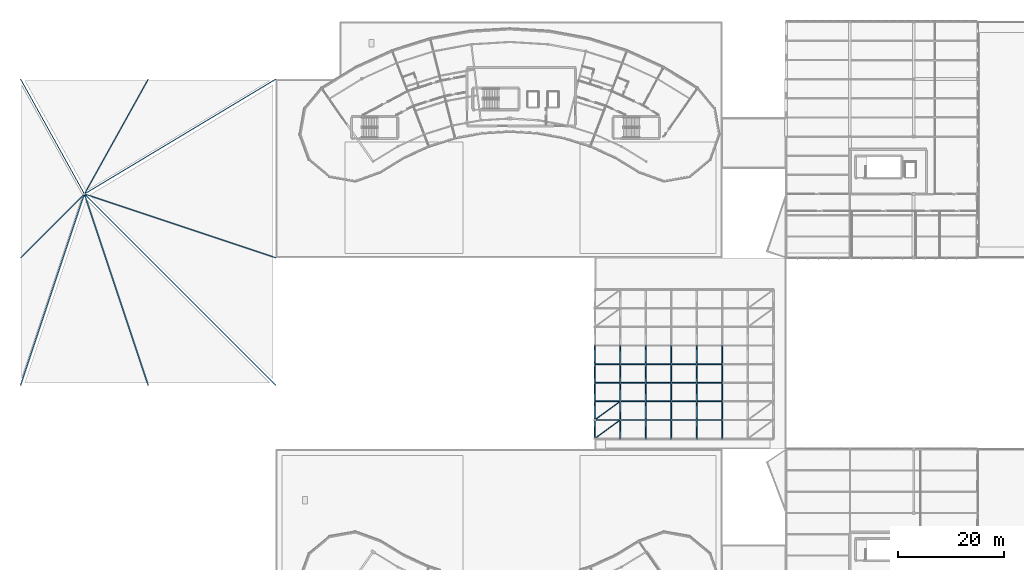
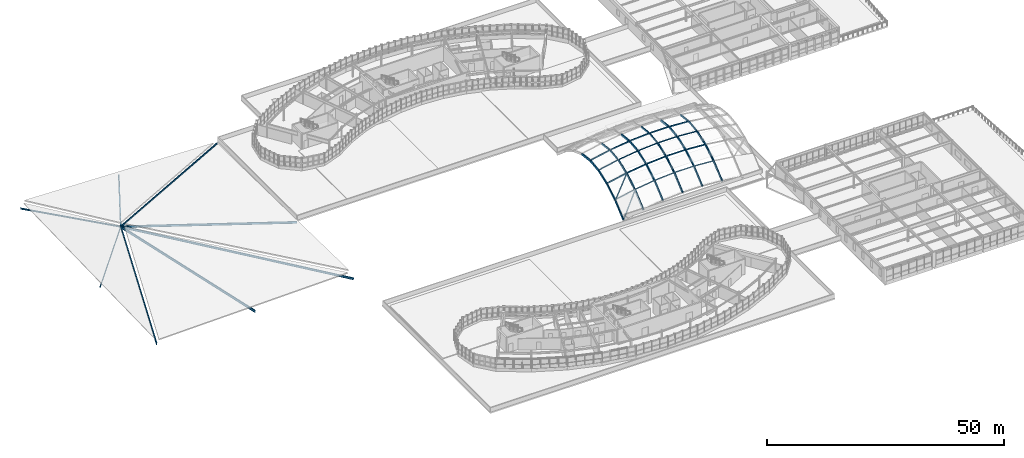
# One storey, part 38 of 128: 60 members.
"""IFC4 building model written with IfcOpenShell, lengths in metres."""

from ifc_helpers import new_model, si_unit, direction, frame, origin, origin_2d, place, context, subcontext, project, spatial, rectangle, hollow_rectangle, hollow_circle, i_section, extrude, material, material_profile, profile_set, type_object, element, save


model = new_model("IFC4")

# Units and contexts
model_context = context("Model", 3, precision=1e-05, world=origin(), true_north=direction((0.0, 1.0)))
body_context = subcontext(model_context, "Body", "Model", "MODEL_VIEW")
ifc_project = project(units=[si_unit("LENGTHUNIT", "METRE"), si_unit("AREAUNIT", "SQUARE_METRE"), si_unit("VOLUMEUNIT", "CUBIC_METRE"), si_unit("PLANEANGLEUNIT", "RADIAN"), si_unit("MASSUNIT", "GRAM", prefix="KILO")], contexts=[model_context])

# Site, building, storey
site_placement = place(None, origin())
site = spatial("IfcSite", under=ifc_project, at=site_placement, CompositionType="ELEMENT")
building_placement = place(site_placement, origin())
building = spatial("IfcBuilding", under=site, at=building_placement, Name="Tarnwether General Hospital", CompositionType="ELEMENT")
storey_placement = place(building_placement, frame((0.0, 0.0, 14.39990234375)))
storey = spatial("IfcBuildingStorey", under=building, at=storey_placement, Name="L03", CompositionType="ELEMENT", Elevation=14.39990234375)

# Members
ifc_material_1 = material(Name="Steel Grade C350L0 (350 MPa)", Category="steel")
ifc_material_profile_1 = material_profile(ifc_material_1, hollow_circle(Radius=0.096923828125, WallThickness=0.008056640625, at=origin_2d()), Name="CHS193.7x8.0")
ifc_profile_set_1 = profile_set([ifc_material_profile_1], Name="Steel Grade C350L0 (350 MPa)")
member_type_1 = type_object("IfcMemberType", Name="MB-BR5", PredefinedType="BRACE", material=ifc_profile_set_1)
member_1_placement = place(storey_placement, frame((108.0, 47.60009765625, 0.0), z_axis=(0.672607981654, 0.490438330959, 0.554137840742), x_axis=(-0.589168244541, 0.808010383365, 0.0)))
element("IfcMember", 1, at=member_1_placement, inside=storey, type_object=member_type_1, Name="Gridshell Shell Brace 128", PredefinedType="BRACE", context=body_context, shape_type="SweptSolid", body=[
    extrude(hollow_circle(Radius=0.096923828125, WallThickness=0.008056640625, at=origin_2d()), origin(), (0.0, 0.0, 1.0), 7.136474609375),
])
member_2_placement = place(storey_placement, frame((108.0, 51.10009765625, 2.97509765625), z_axis=(0.716119445124, 0.522165116998, 0.46315929323), x_axis=(-0.589168244541, 0.808010383365, 0.0)))
element("IfcMember", 2, at=member_2_placement, inside=storey, type_object=member_type_1, Name="Gridshell Shell Brace 129", PredefinedType="BRACE", context=body_context, shape_type="SweptSolid", body=[
    extrude(hollow_circle(Radius=0.096923828125, WallThickness=0.008056640625, at=origin_2d()), origin(), (0.0, 0.0, 1.0), 6.702880859375),
])
ifc_material_2 = material(Name="Glulam GL12", Category="wood")
ifc_material_profile_2 = material_profile(ifc_material_2, rectangle(XDim=0.239990234375, YDim=0.5400390625, at=origin_2d()), Name="GL12-240x540")
ifc_profile_set_2 = profile_set([ifc_material_profile_2], Name="Glulam GL12")
member_type_2 = type_object("IfcMemberType", Name="MB-GS1", PredefinedType="CHORD", material=ifc_profile_set_2)
member_3_placement = place(storey_placement, frame((108.0, 47.60009765625, 0.0), z_axis=(0.0, 0.76192882692, 0.647660762057), x_axis=(-1.0, 0.0, 0.0)))
element("IfcMember", 3, at=member_3_placement, inside=storey, type_object=member_type_2, Name="Gridshell Glulam Arch Chord 001", PredefinedType="CHORD", context=body_context, shape_type="SweptSolid", body=[
    extrude(rectangle(XDim=0.239990234375, YDim=0.5400390625, at=origin_2d()), origin(), (0.0, 0.0, 1.0), 4.593505859375),
])
member_4_placement = place(storey_placement, frame((108.0, 51.10009765625, 2.97509765625), z_axis=(0.0, 0.854787515222, 0.518978134242), x_axis=(-1.0, 0.0, 0.0)))
element("IfcMember", 4, at=member_4_placement, inside=storey, type_object=member_type_2, Name="Gridshell Glulam Arch Chord 002", PredefinedType="CHORD", context=body_context, shape_type="SweptSolid", body=[
    extrude(rectangle(XDim=0.239990234375, YDim=0.5400390625, at=origin_2d()), origin(), (0.0, 0.0, 1.0), 4.094482421875),
])
member_5_placement = place(storey_placement, frame((108.0, 54.60009765625, 5.10009765625), z_axis=(0.0, 0.939605746622, 0.342258733877), x_axis=(-1.0, 0.0, 0.0)))
element("IfcMember", 5, at=member_5_placement, inside=storey, type_object=member_type_2, Name="Gridshell Glulam Arch Chord 003", PredefinedType="CHORD", context=body_context, shape_type="SweptSolid", body=[
    extrude(rectangle(XDim=0.239990234375, YDim=0.5400390625, at=origin_2d()), origin(), (0.0, 0.0, 1.0), 3.724853515625),
])
for number, where, z_axis, x_axis, name in (
    (6, (108.0, 58.10009765625, 6.375), (0.0, 0.992706434156, 0.120556773289), (-1.0, 0.0, 0.0), "Gridshell Glulam Arch Chord 004"),
    (7, (108.0, 61.60009765625, 6.800048828125), (0.0, 0.992706434156, -0.120556773289), (-1.0, 0.0, 0.0), "Gridshell Glulam Arch Chord 005"),
):
    element("IfcMember", number, at=place(storey_placement, frame(where, z_axis=z_axis, x_axis=x_axis)), inside=storey, type_object=member_type_2, Name=name, PredefinedType="CHORD", context=body_context, shape_type="SweptSolid", body=[
        extrude(rectangle(XDim=0.239990234375, YDim=0.5400390625, at=origin_2d()), origin(), (0.0, 0.0, 1.0), 3.525634765625),
    ])
member_6_placement = place(storey_placement, frame((117.60009765625, 47.60009765625, 1.6328125), z_axis=(0.0, 0.76192882692, 0.647660762057), x_axis=(-1.0, 0.0, 0.0)))
element("IfcMember", 8, at=member_6_placement, inside=storey, type_object=member_type_2, Name="Gridshell Glulam Arch Chord 017", PredefinedType="CHORD", context=body_context, shape_type="SweptSolid", body=[
    extrude(rectangle(XDim=0.239990234375, YDim=0.5400390625, at=origin_2d()), origin(), (0.0, 0.0, 1.0), 4.593505859375),
])
member_7_placement = place(storey_placement, frame((117.60009765625, 51.10009765625, 4.60791015625), z_axis=(0.0, 0.854787515222, 0.518978134242), x_axis=(-1.0, 0.0, 0.0)))
element("IfcMember", 9, at=member_7_placement, inside=storey, type_object=member_type_2, Name="Gridshell Glulam Arch Chord 018", PredefinedType="CHORD", context=body_context, shape_type="SweptSolid", body=[
    extrude(rectangle(XDim=0.239990234375, YDim=0.5400390625, at=origin_2d()), origin(), (0.0, 0.0, 1.0), 4.094482421875),
])
member_8_placement = place(storey_placement, frame((117.60009765625, 54.60009765625, 6.73291015625), z_axis=(0.0, 0.939605746622, 0.342258733877), x_axis=(-1.0, 0.0, 0.0)))
element("IfcMember", 10, at=member_8_placement, inside=storey, type_object=member_type_2, Name="Gridshell Glulam Arch Chord 019", PredefinedType="CHORD", context=body_context, shape_type="SweptSolid", body=[
    extrude(rectangle(XDim=0.239990234375, YDim=0.5400390625, at=origin_2d()), origin(), (0.0, 0.0, 1.0), 3.724853515625),
])
for number, where, z_axis, x_axis, name in (
    (11, (117.60009765625, 58.10009765625, 8.0078125), (0.0, 0.992706434156, 0.120556773289), (-1.0, 0.0, 0.0), "Gridshell Glulam Arch Chord 020"),
    (12, (117.60009765625, 61.60009765625, 8.432861328125), (0.0, 0.992706434156, -0.120556773289), (-1.0, 0.0, 0.0), "Gridshell Glulam Arch Chord 021"),
):
    element("IfcMember", number, at=place(storey_placement, frame(where, z_axis=z_axis, x_axis=x_axis)), inside=storey, type_object=member_type_2, Name=name, PredefinedType="CHORD", context=body_context, shape_type="SweptSolid", body=[
        extrude(rectangle(XDim=0.239990234375, YDim=0.5400390625, at=origin_2d()), origin(), (0.0, 0.0, 1.0), 3.525634765625),
    ])
member_9_placement = place(storey_placement, frame((127.199951171875, 47.60009765625, 1.959228515625), z_axis=(0.0, 0.76192882692, 0.647660762057), x_axis=(-1.0, 0.0, 0.0)))
element("IfcMember", 13, at=member_9_placement, inside=storey, type_object=member_type_2, Name="Gridshell Glulam Arch Chord 033", PredefinedType="CHORD", context=body_context, shape_type="SweptSolid", body=[
    extrude(rectangle(XDim=0.239990234375, YDim=0.5400390625, at=origin_2d()), origin(), (0.0, 0.0, 1.0), 4.593505859375),
])
member_10_placement = place(storey_placement, frame((127.199951171875, 51.10009765625, 4.934326171875), z_axis=(0.0, 0.854787515222, 0.518978134242), x_axis=(-1.0, 0.0, 0.0)))
element("IfcMember", 14, at=member_10_placement, inside=storey, type_object=member_type_2, Name="Gridshell Glulam Arch Chord 034", PredefinedType="CHORD", context=body_context, shape_type="SweptSolid", body=[
    extrude(rectangle(XDim=0.239990234375, YDim=0.5400390625, at=origin_2d()), origin(), (0.0, 0.0, 1.0), 4.094482421875),
])
member_11_placement = place(storey_placement, frame((127.199951171875, 54.60009765625, 7.059326171875), z_axis=(0.0, 0.939605746622, 0.342258733877), x_axis=(-1.0, 0.0, 0.0)))
element("IfcMember", 15, at=member_11_placement, inside=storey, type_object=member_type_2, Name="Gridshell Glulam Arch Chord 035", PredefinedType="CHORD", context=body_context, shape_type="SweptSolid", body=[
    extrude(rectangle(XDim=0.239990234375, YDim=0.5400390625, at=origin_2d()), origin(), (0.0, 0.0, 1.0), 3.724853515625),
])
for number, where, z_axis, x_axis, name in (
    (16, (127.199951171875, 58.10009765625, 8.334228515625), (0.0, 0.992706434156, 0.120556773289), (-1.0, 0.0, 0.0), "Gridshell Glulam Arch Chord 036"),
    (17, (127.199951171875, 61.60009765625, 8.75927734375), (0.0, 0.992706434156, -0.120556773289), (-1.0, 0.0, 0.0), "Gridshell Glulam Arch Chord 037"),
):
    element("IfcMember", number, at=place(storey_placement, frame(where, z_axis=z_axis, x_axis=x_axis)), inside=storey, type_object=member_type_2, Name=name, PredefinedType="CHORD", context=body_context, shape_type="SweptSolid", body=[
        extrude(rectangle(XDim=0.239990234375, YDim=0.5400390625, at=origin_2d()), origin(), (0.0, 0.0, 1.0), 3.525634765625),
    ])
ifc_material_3 = material(Name="Glulam GL12", Category="wood")
ifc_material_profile_3 = material_profile(ifc_material_3, rectangle(XDim=0.199951171875, YDim=0.449951171875, at=origin_2d()), Name="GL12-200x450")
ifc_profile_set_3 = profile_set([ifc_material_profile_3], Name="Glulam GL12")
member_type_3 = type_object("IfcMemberType", Name="MB-GS2", PredefinedType="CHORD", material=ifc_profile_set_3)
member_12_placement = place(storey_placement, frame((112.800048828125, 47.60009765625, 1.024658203125), z_axis=(0.0, 0.76192882692, 0.647660762057), x_axis=(-1.0, 0.0, 0.0)))
element("IfcMember", 18, at=member_12_placement, inside=storey, type_object=member_type_3, Name="Gridshell Glulam Arch Chord 009", PredefinedType="CHORD", context=body_context, shape_type="SweptSolid", body=[
    extrude(rectangle(XDim=0.199951171875, YDim=0.449951171875, at=origin_2d()), origin(), (0.0, 0.0, 1.0), 4.593505859375),
])
member_13_placement = place(storey_placement, frame((112.800048828125, 51.10009765625, 3.999755859375), z_axis=(0.0, 0.854787515222, 0.518978134242), x_axis=(-1.0, 0.0, 0.0)))
element("IfcMember", 19, at=member_13_placement, inside=storey, type_object=member_type_3, Name="Gridshell Glulam Arch Chord 010", PredefinedType="CHORD", context=body_context, shape_type="SweptSolid", body=[
    extrude(rectangle(XDim=0.199951171875, YDim=0.449951171875, at=origin_2d()), origin(), (0.0, 0.0, 1.0), 4.094482421875),
])
member_14_placement = place(storey_placement, frame((112.800048828125, 54.60009765625, 6.124755859375), z_axis=(0.0, 0.939605746622, 0.342258733877), x_axis=(-1.0, 0.0, 0.0)))
element("IfcMember", 20, at=member_14_placement, inside=storey, type_object=member_type_3, Name="Gridshell Glulam Arch Chord 011", PredefinedType="CHORD", context=body_context, shape_type="SweptSolid", body=[
    extrude(rectangle(XDim=0.199951171875, YDim=0.449951171875, at=origin_2d()), origin(), (0.0, 0.0, 1.0), 3.724853515625),
])
for number, where, z_axis, x_axis, name in (
    (21, (112.800048828125, 58.10009765625, 7.399658203125), (0.0, 0.992706434156, 0.120556773289), (-1.0, 0.0, 0.0), "Gridshell Glulam Arch Chord 012"),
    (22, (112.800048828125, 61.60009765625, 7.82470703125), (0.0, 0.992706434156, -0.120556773289), (-1.0, 0.0, 0.0), "Gridshell Glulam Arch Chord 013"),
):
    element("IfcMember", number, at=place(storey_placement, frame(where, z_axis=z_axis, x_axis=x_axis)), inside=storey, type_object=member_type_3, Name=name, PredefinedType="CHORD", context=body_context, shape_type="SweptSolid", body=[
        extrude(rectangle(XDim=0.199951171875, YDim=0.449951171875, at=origin_2d()), origin(), (0.0, 0.0, 1.0), 3.525634765625),
    ])
member_15_placement = place(storey_placement, frame((122.39990234375, 47.60009765625, 2.00439453125), z_axis=(0.0, 0.761955054185, 0.647629906198), x_axis=(-1.0, 0.0, 0.0)))
element("IfcMember", 23, at=member_15_placement, inside=storey, type_object=member_type_3, Name="Gridshell Glulam Arch Chord 025", PredefinedType="CHORD", context=body_context, shape_type="SweptSolid", body=[
    extrude(rectangle(XDim=0.199951171875, YDim=0.449951171875, at=origin_2d()), origin(), (0.0, 0.0, 1.0), 4.593505859375),
])
member_16_placement = place(storey_placement, frame((122.39990234375, 51.10009765625, 4.979248046875), z_axis=(0.0, 0.854787515222, 0.518978134242), x_axis=(-1.0, 0.0, 0.0)))
element("IfcMember", 24, at=member_16_placement, inside=storey, type_object=member_type_3, Name="Gridshell Glulam Arch Chord 026", PredefinedType="CHORD", context=body_context, shape_type="SweptSolid", body=[
    extrude(rectangle(XDim=0.199951171875, YDim=0.449951171875, at=origin_2d()), origin(), (0.0, 0.0, 1.0), 4.094482421875),
])
member_17_placement = place(storey_placement, frame((122.39990234375, 54.60009765625, 7.104248046875), z_axis=(0.0, 0.939584667872, 0.342316596003), x_axis=(-1.0, 0.0, 0.0)))
element("IfcMember", 25, at=member_17_placement, inside=storey, type_object=member_type_3, Name="Gridshell Glulam Arch Chord 027", PredefinedType="CHORD", context=body_context, shape_type="SweptSolid", body=[
    extrude(rectangle(XDim=0.199951171875, YDim=0.449951171875, at=origin_2d()), origin(), (0.0, 0.0, 1.0), 3.72509765625),
])
for number, where, z_axis, x_axis, name in (
    (26, (122.39990234375, 58.10009765625, 8.37939453125), (0.0, 0.992714719031, 0.120488533141), (-1.0, 0.0, 0.0), "Gridshell Glulam Arch Chord 028"),
    (27, (122.39990234375, 61.60009765625, 8.80419921875), (0.0, 0.992714719031, -0.120488533141), (-1.0, 0.0, 0.0), "Gridshell Glulam Arch Chord 029"),
):
    element("IfcMember", number, at=place(storey_placement, frame(where, z_axis=z_axis, x_axis=x_axis)), inside=storey, type_object=member_type_3, Name=name, PredefinedType="CHORD", context=body_context, shape_type="SweptSolid", body=[
        extrude(rectangle(XDim=0.199951171875, YDim=0.449951171875, at=origin_2d()), origin(), (0.0, 0.0, 1.0), 3.525634765625),
    ])
member_18_placement = place(storey_placement, frame((132.0, 47.60009765625, 1.677734375), z_axis=(0.0, 0.76192882692, 0.647660762057), x_axis=(-1.0, 0.0, 0.0)))
element("IfcMember", 28, at=member_18_placement, inside=storey, type_object=member_type_3, Name="Gridshell Glulam Arch Chord 041", PredefinedType="CHORD", context=body_context, shape_type="SweptSolid", body=[
    extrude(rectangle(XDim=0.199951171875, YDim=0.449951171875, at=origin_2d()), origin(), (0.0, 0.0, 1.0), 4.593505859375),
])
member_19_placement = place(storey_placement, frame((132.0, 51.10009765625, 4.65283203125), z_axis=(0.0, 0.854787515222, 0.518978134242), x_axis=(-1.0, 0.0, 0.0)))
element("IfcMember", 29, at=member_19_placement, inside=storey, type_object=member_type_3, Name="Gridshell Glulam Arch Chord 042", PredefinedType="CHORD", context=body_context, shape_type="SweptSolid", body=[
    extrude(rectangle(XDim=0.199951171875, YDim=0.449951171875, at=origin_2d()), origin(), (0.0, 0.0, 1.0), 4.094482421875),
])
member_20_placement = place(storey_placement, frame((132.0, 54.60009765625, 6.77783203125), z_axis=(0.0, 0.939605746622, 0.342258733877), x_axis=(-1.0, 0.0, 0.0)))
element("IfcMember", 30, at=member_20_placement, inside=storey, type_object=member_type_3, Name="Gridshell Glulam Arch Chord 043", PredefinedType="CHORD", context=body_context, shape_type="SweptSolid", body=[
    extrude(rectangle(XDim=0.199951171875, YDim=0.449951171875, at=origin_2d()), origin(), (0.0, 0.0, 1.0), 3.724853515625),
])
for number, where, z_axis, x_axis, name in (
    (31, (132.0, 58.10009765625, 8.052734375), (0.0, 0.992706434156, 0.120556773289), (-1.0, 0.0, 0.0), "Gridshell Glulam Arch Chord 044"),
    (32, (132.0, 61.60009765625, 8.477783203125), (0.0, 0.992706434156, -0.120556773289), (-1.0, 0.0, 0.0), "Gridshell Glulam Arch Chord 045"),
):
    element("IfcMember", number, at=place(storey_placement, frame(where, z_axis=z_axis, x_axis=x_axis)), inside=storey, type_object=member_type_3, Name=name, PredefinedType="CHORD", context=body_context, shape_type="SweptSolid", body=[
        extrude(rectangle(XDim=0.199951171875, YDim=0.449951171875, at=origin_2d()), origin(), (0.0, 0.0, 1.0), 3.525634765625),
    ])
ifc_material_4 = material(Name="Steel Grade C350L0 (350 MPa)", Category="steel")
ifc_material_profile_4 = material_profile(ifc_material_4, hollow_rectangle(XDim=0.199951171875, YDim=0.300048828125, WallThickness=0.012451171875, at=origin_2d()), Name="RHS300x200x12.5")
ifc_profile_set_4 = profile_set([ifc_material_profile_4], Name="Steel Grade C350L0 (350 MPa)")
member_type_4 = type_object("IfcMemberType", Name="MB-GS3", PredefinedType="CHORD", material=ifc_profile_set_4)
member_21_placement = place(storey_placement, frame((108.0, 54.60009765625, 5.210205078125), z_axis=(0.979808442283, 0.0, 0.199938531633), x_axis=(0.0, 1.0, 0.0)))
element("IfcMember", 33, at=member_21_placement, inside=storey, type_object=member_type_4, Name="Gridshell Steel Longitudinal Chord 079", PredefinedType="CHORD", context=body_context, shape_type="SweptSolid", body=[
    extrude(hollow_rectangle(XDim=0.199951171875, YDim=0.300048828125, WallThickness=0.012451171875, at=origin_2d()), origin(), (0.0, 0.0, 1.0), 4.89892578125),
])
member_22_placement = place(storey_placement, frame((112.800048828125, 54.60009765625, 6.189697265625), z_axis=(0.990870911369, 0.0, 0.134814083104), x_axis=(0.0, 1.0, 0.0)))
element("IfcMember", 34, at=member_22_placement, inside=storey, type_object=member_type_4, Name="Gridshell Steel Longitudinal Chord 080", PredefinedType="CHORD", context=body_context, shape_type="SweptSolid", body=[
    extrude(hollow_rectangle(XDim=0.199951171875, YDim=0.300048828125, WallThickness=0.012451171875, at=origin_2d()), origin(), (0.0, 0.0, 1.0), 4.84423828125),
])
member_23_placement = place(storey_placement, frame((117.60009765625, 54.60009765625, 6.8427734375), z_axis=(0.997695575032, 0.0, 0.067849388801), x_axis=(0.0, 1.0, 0.0)))
element("IfcMember", 35, at=member_23_placement, inside=storey, type_object=member_type_4, Name="Gridshell Steel Longitudinal Chord 081", PredefinedType="CHORD", context=body_context, shape_type="SweptSolid", body=[
    extrude(hollow_rectangle(XDim=0.199951171875, YDim=0.300048828125, WallThickness=0.012451171875, at=origin_2d()), origin(), (0.0, 0.0, 1.0), 4.810791015625),
])
member_24_placement = place(storey_placement, frame((122.39990234375, 54.60009765625, 7.169189453125), z_axis=(1.0, 0.0, 0.0), x_axis=(0.0, 1.0, 0.0)))
element("IfcMember", 36, at=member_24_placement, inside=storey, type_object=member_type_4, Name="Gridshell Steel Longitudinal Chord 082", PredefinedType="CHORD", context=body_context, shape_type="SweptSolid", body=[
    extrude(hollow_rectangle(XDim=0.199951171875, YDim=0.300048828125, WallThickness=0.012451171875, at=origin_2d()), origin(), (0.0, 0.0, 1.0), 4.800048828125),
])
member_25_placement = place(storey_placement, frame((127.199951171875, 54.60009765625, 7.169189453125), z_axis=(0.997695808633, 0.0, -0.067845953723), x_axis=(0.0, 1.0, 0.0)))
element("IfcMember", 37, at=member_25_placement, inside=storey, type_object=member_type_4, Name="Gridshell Steel Longitudinal Chord 083", PredefinedType="CHORD", context=body_context, shape_type="SweptSolid", body=[
    extrude(hollow_rectangle(XDim=0.199951171875, YDim=0.300048828125, WallThickness=0.012451171875, at=origin_2d()), origin(), (0.0, 0.0, 1.0), 4.81103515625),
])
member_26_placement = place(storey_placement, frame((108.0, 61.60009765625, 6.91015625), z_axis=(0.979808442283, 0.0, 0.199938531633), x_axis=(0.0, 1.0, 0.0)))
element("IfcMember", 38, at=member_26_placement, inside=storey, type_object=member_type_4, Name="Gridshell Steel Longitudinal Chord 093", PredefinedType="CHORD", context=body_context, shape_type="SweptSolid", body=[
    extrude(hollow_rectangle(XDim=0.199951171875, YDim=0.300048828125, WallThickness=0.012451171875, at=origin_2d()), origin(), (0.0, 0.0, 1.0), 4.89892578125),
])
member_27_placement = place(storey_placement, frame((112.800048828125, 61.60009765625, 7.8896484375), z_axis=(0.990870911369, 0.0, 0.134814083104), x_axis=(0.0, 1.0, 0.0)))
element("IfcMember", 39, at=member_27_placement, inside=storey, type_object=member_type_4, Name="Gridshell Steel Longitudinal Chord 094", PredefinedType="CHORD", context=body_context, shape_type="SweptSolid", body=[
    extrude(hollow_rectangle(XDim=0.199951171875, YDim=0.300048828125, WallThickness=0.012451171875, at=origin_2d()), origin(), (0.0, 0.0, 1.0), 4.84423828125),
])
member_28_placement = place(storey_placement, frame((117.60009765625, 61.60009765625, 8.542724609375), z_axis=(0.997692138514, 0.0, 0.067899902408), x_axis=(0.0, 1.0, 0.0)))
element("IfcMember", 40, at=member_28_placement, inside=storey, type_object=member_type_4, Name="Gridshell Steel Longitudinal Chord 095", PredefinedType="CHORD", context=body_context, shape_type="SweptSolid", body=[
    extrude(hollow_rectangle(XDim=0.199951171875, YDim=0.300048828125, WallThickness=0.012451171875, at=origin_2d()), origin(), (0.0, 0.0, 1.0), 4.810791015625),
])
member_29_placement = place(storey_placement, frame((122.39990234375, 61.60009765625, 8.869384765625), z_axis=(1.0, 0.0, 0.0), x_axis=(0.0, 1.0, 0.0)))
element("IfcMember", 41, at=member_29_placement, inside=storey, type_object=member_type_4, Name="Gridshell Steel Longitudinal Chord 096", PredefinedType="CHORD", context=body_context, shape_type="SweptSolid", body=[
    extrude(hollow_rectangle(XDim=0.199951171875, YDim=0.300048828125, WallThickness=0.012451171875, at=origin_2d()), origin(), (0.0, 0.0, 1.0), 4.800048828125),
])
member_30_placement = place(storey_placement, frame((127.199951171875, 61.60009765625, 8.869384765625), z_axis=(0.997692372462, 0.0, -0.067896464796), x_axis=(0.0, 1.0, 0.0)))
element("IfcMember", 42, at=member_30_placement, inside=storey, type_object=member_type_4, Name="Gridshell Steel Longitudinal Chord 097", PredefinedType="CHORD", context=body_context, shape_type="SweptSolid", body=[
    extrude(hollow_rectangle(XDim=0.199951171875, YDim=0.300048828125, WallThickness=0.012451171875, at=origin_2d()), origin(), (0.0, 0.0, 1.0), 4.81103515625),
])
ifc_material_5 = material(Name="Steel Grade C350L0 (350 MPa)", Category="steel")
ifc_material_profile_5 = material_profile(ifc_material_5, hollow_rectangle(XDim=0.14990234375, YDim=0.25, WallThickness=0.010009765625, at=origin_2d()), Name="RHS250x150x10")
ifc_profile_set_5 = profile_set([ifc_material_profile_5], Name="Steel Grade C350L0 (350 MPa)")
member_type_5 = type_object("IfcMemberType", Name="MB-GS4", PredefinedType="CHORD", material=ifc_profile_set_5)
member_31_placement = place(storey_placement, frame((108.0, 51.10009765625, 3.110107421875), z_axis=(0.979808442283, 0.0, 0.199938531633), x_axis=(0.0, 1.0, 0.0)))
element("IfcMember", 43, at=member_31_placement, inside=storey, type_object=member_type_5, Name="Gridshell Steel Longitudinal Chord 072", PredefinedType="CHORD", context=body_context, shape_type="SweptSolid", body=[
    extrude(hollow_rectangle(XDim=0.14990234375, YDim=0.25, WallThickness=0.010009765625, at=origin_2d()), origin(), (0.0, 0.0, 1.0), 4.89892578125),
])
member_32_placement = place(storey_placement, frame((112.800048828125, 51.10009765625, 4.089599609375), z_axis=(0.990870911369, 0.0, 0.134814083104), x_axis=(0.0, 1.0, 0.0)))
element("IfcMember", 44, at=member_32_placement, inside=storey, type_object=member_type_5, Name="Gridshell Steel Longitudinal Chord 073", PredefinedType="CHORD", context=body_context, shape_type="SweptSolid", body=[
    extrude(hollow_rectangle(XDim=0.14990234375, YDim=0.25, WallThickness=0.010009765625, at=origin_2d()), origin(), (0.0, 0.0, 1.0), 4.84423828125),
])
member_33_placement = place(storey_placement, frame((117.60009765625, 51.10009765625, 4.74267578125), z_axis=(0.997692138514, 0.0, 0.067899902408), x_axis=(0.0, 1.0, 0.0)))
element("IfcMember", 45, at=member_33_placement, inside=storey, type_object=member_type_5, Name="Gridshell Steel Longitudinal Chord 074", PredefinedType="CHORD", context=body_context, shape_type="SweptSolid", body=[
    extrude(hollow_rectangle(XDim=0.14990234375, YDim=0.25, WallThickness=0.010009765625, at=origin_2d()), origin(), (0.0, 0.0, 1.0), 4.810791015625),
])
member_34_placement = place(storey_placement, frame((122.39990234375, 51.10009765625, 5.0693359375), z_axis=(1.0, 0.0, 0.0), x_axis=(0.0, 1.0, 0.0)))
element("IfcMember", 46, at=member_34_placement, inside=storey, type_object=member_type_5, Name="Gridshell Steel Longitudinal Chord 075", PredefinedType="CHORD", context=body_context, shape_type="SweptSolid", body=[
    extrude(hollow_rectangle(XDim=0.14990234375, YDim=0.25, WallThickness=0.010009765625, at=origin_2d()), origin(), (0.0, 0.0, 1.0), 4.800048828125),
])
member_35_placement = place(storey_placement, frame((127.199951171875, 51.10009765625, 5.0693359375), z_axis=(0.997692372462, 0.0, -0.067896464796), x_axis=(0.0, 1.0, 0.0)))
element("IfcMember", 47, at=member_35_placement, inside=storey, type_object=member_type_5, Name="Gridshell Steel Longitudinal Chord 076", PredefinedType="CHORD", context=body_context, shape_type="SweptSolid", body=[
    extrude(hollow_rectangle(XDim=0.14990234375, YDim=0.25, WallThickness=0.010009765625, at=origin_2d()), origin(), (0.0, 0.0, 1.0), 4.81103515625),
])
member_36_placement = place(storey_placement, frame((108.0, 58.10009765625, 6.510009765625), z_axis=(0.979798678438, 0.0, 0.199986373866), x_axis=(0.0, 1.0, 0.0)))
element("IfcMember", 48, at=member_36_placement, inside=storey, type_object=member_type_5, Name="Gridshell Steel Longitudinal Chord 086", PredefinedType="CHORD", context=body_context, shape_type="SweptSolid", body=[
    extrude(hollow_rectangle(XDim=0.14990234375, YDim=0.25, WallThickness=0.010009765625, at=origin_2d()), origin(), (0.0, 0.0, 1.0), 4.89892578125),
])
member_37_placement = place(storey_placement, frame((112.800048828125, 58.10009765625, 7.48974609375), z_axis=(0.990870911369, 0.0, 0.134814083104), x_axis=(0.0, 1.0, 0.0)))
element("IfcMember", 49, at=member_37_placement, inside=storey, type_object=member_type_5, Name="Gridshell Steel Longitudinal Chord 087", PredefinedType="CHORD", context=body_context, shape_type="SweptSolid", body=[
    extrude(hollow_rectangle(XDim=0.14990234375, YDim=0.25, WallThickness=0.010009765625, at=origin_2d()), origin(), (0.0, 0.0, 1.0), 4.84423828125),
])
member_38_placement = place(storey_placement, frame((117.60009765625, 58.10009765625, 8.142822265625), z_axis=(0.997695575032, 0.0, 0.067849388801), x_axis=(0.0, 1.0, 0.0)))
element("IfcMember", 50, at=member_38_placement, inside=storey, type_object=member_type_5, Name="Gridshell Steel Longitudinal Chord 088", PredefinedType="CHORD", context=body_context, shape_type="SweptSolid", body=[
    extrude(hollow_rectangle(XDim=0.14990234375, YDim=0.25, WallThickness=0.010009765625, at=origin_2d()), origin(), (0.0, 0.0, 1.0), 4.810791015625),
])
member_39_placement = place(storey_placement, frame((122.39990234375, 58.10009765625, 8.46923828125), z_axis=(1.0, 0.0, 0.0), x_axis=(0.0, 1.0, 0.0)))
element("IfcMember", 51, at=member_39_placement, inside=storey, type_object=member_type_5, Name="Gridshell Steel Longitudinal Chord 089", PredefinedType="CHORD", context=body_context, shape_type="SweptSolid", body=[
    extrude(hollow_rectangle(XDim=0.14990234375, YDim=0.25, WallThickness=0.010009765625, at=origin_2d()), origin(), (0.0, 0.0, 1.0), 4.800048828125),
])
member_40_placement = place(storey_placement, frame((127.199951171875, 58.10009765625, 8.46923828125), z_axis=(0.997695808633, 0.0, -0.067845953723), x_axis=(0.0, 1.0, 0.0)))
element("IfcMember", 52, at=member_40_placement, inside=storey, type_object=member_type_5, Name="Gridshell Steel Longitudinal Chord 090", PredefinedType="CHORD", context=body_context, shape_type="SweptSolid", body=[
    extrude(hollow_rectangle(XDim=0.14990234375, YDim=0.25, WallThickness=0.010009765625, at=origin_2d()), origin(), (0.0, 0.0, 1.0), 4.81103515625),
])
ifc_material_6 = material(Name="Steel Grade 350 (350 MPa)", Category="steel")
ifc_material_profile_6 = material_profile(ifc_material_6, i_section(OverallWidth=0.22802734375, OverallDepth=0.60205078125, WebThickness=0.010498046875, FlangeThickness=0.014892578125, at=origin_2d()), Name="610UB101")
ifc_profile_set_6 = profile_set([ifc_material_profile_6], Name="Steel Grade 350 (350 MPa)")
member_type_6 = type_object("IfcMemberType", Name="MB-RF1", PredefinedType="RAFTER", material=ifc_profile_set_6)
for number, where, z_axis, x_axis, name in (
    (53, (0.0, 57.60009765625, -0.199951171875), (0.31430853066, 0.942925591981, 0.110006706806), (-0.948683298051, 0.316227766017, 0.0), "Operating Suite Origami Hip Rafter SW 01"),
    (54, (24.0, 57.60009765625, -0.199951171875), (-0.31430853066, 0.942925591981, 0.110006706806), (-0.948683298051, -0.316227766017, 0.0), "Operating Suite Origami Valley Rafter S 05"),
):
    element("IfcMember", number, at=place(storey_placement, frame(where, z_axis=z_axis, x_axis=x_axis)), inside=storey, type_object=member_type_6, Name=name, PredefinedType="RAFTER", context=body_context, shape_type="SweptSolid", body=[
        extrude(i_section(OverallWidth=0.22802734375, OverallDepth=0.60205078125, WebThickness=0.010498046875, FlangeThickness=0.014892578125, at=origin_2d()), origin(), (0.0, 0.0, 1.0), 38.178955078125),
    ])
ifc_material_7 = material(Name="Steel Grade 350 (350 MPa)", Category="steel")
ifc_material_profile_7 = material_profile(ifc_material_7, i_section(OverallWidth=0.208984375, OverallDepth=0.528076171875, WebThickness=0.009521484375, FlangeThickness=0.01318359375, at=origin_2d()), Name="530UB82.0")
ifc_profile_set_7 = profile_set([ifc_material_profile_7], Name="Steel Grade 350 (350 MPa)")
member_type_7 = type_object("IfcMemberType", Name="MB-RF2", PredefinedType="RAFTER", material=ifc_profile_set_7)
member_41_placement = place(storey_placement, frame((48.0, 57.60009765625, -0.199951171875), z_axis=(-0.70471292136, 0.70471292136, 0.082215551664), x_axis=(-0.707106781187, -0.707106781187, 0.0)))
element("IfcMember", 55, at=member_41_placement, inside=storey, type_object=member_type_7, Name="Operating Suite Origami Hip Rafter SE 02", PredefinedType="RAFTER", context=body_context, shape_type="SweptSolid", body=[
    extrude(i_section(OverallWidth=0.208984375, OverallDepth=0.528076171875, WebThickness=0.009521484375, FlangeThickness=0.01318359375, at=origin_2d()), origin(), (0.0, 0.0, 1.0), 51.084716796875),
])
member_42_placement = place(storey_placement, frame((48.0, 81.60009765625, -0.199951171875), z_axis=(-0.942925591981, 0.31430853066, 0.110006706806), x_axis=(-0.316227766017, -0.948683298051, 0.0)))
element("IfcMember", 56, at=member_42_placement, inside=storey, type_object=member_type_7, Name="Operating Suite Origami Valley Rafter E 06", PredefinedType="RAFTER", context=body_context, shape_type="SweptSolid", body=[
    extrude(i_section(OverallWidth=0.208984375, OverallDepth=0.528076171875, WebThickness=0.009521484375, FlangeThickness=0.01318359375, at=origin_2d()), origin(), (0.0, 0.0, 1.0), 38.178955078125),
])
ifc_material_8 = material(Name="Steel Grade 350 (350 MPa)", Category="steel")
ifc_material_profile_8 = material_profile(ifc_material_8, i_section(OverallWidth=0.18994140625, OverallDepth=0.4541015625, WebThickness=0.008544921875, FlangeThickness=0.0126953125, at=origin_2d()), Name="460UB67.1")
ifc_profile_set_8 = profile_set([ifc_material_profile_8], Name="Steel Grade 350 (350 MPa)")
member_type_8 = type_object("IfcMemberType", Name="MB-RF3", PredefinedType="RAFTER", material=ifc_profile_set_8)
member_43_placement = place(storey_placement, frame((48.0, 115.199951171875, -0.199951171875), z_axis=(-0.853235515307, -0.51193783736, 0.099542986178), x_axis=(0.514493189871, -0.857494465041, 0.0)))
element("IfcMember", 57, at=member_43_placement, inside=storey, type_object=member_type_8, Name="Operating Suite Origami Hip Rafter NE 03", PredefinedType="RAFTER", context=body_context, shape_type="SweptSolid", body=[
    extrude(i_section(OverallWidth=0.18994140625, OverallDepth=0.4541015625, WebThickness=0.008544921875, FlangeThickness=0.0126953125, at=origin_2d()), origin(), (0.0, 0.0, 1.0), 42.1923828125),
])
member_44_placement = place(storey_placement, frame((24.0, 115.199951171875, -0.199951171875), z_axis=(-0.478778466315, -0.861795394904, 0.167570515056), x_axis=(0.874155877937, -0.485645447903, 0.0)))
element("IfcMember", 58, at=member_44_placement, inside=storey, type_object=member_type_8, Name="Operating Suite Origami Valley Rafter N 07", PredefinedType="RAFTER", context=body_context, shape_type="SweptSolid", body=[
    extrude(i_section(OverallWidth=0.18994140625, OverallDepth=0.4541015625, WebThickness=0.008544921875, FlangeThickness=0.0126953125, at=origin_2d()), origin(), (0.0, 0.0, 1.0), 25.063720703125),
])
ifc_material_9 = material(Name="Steel Grade 350 (350 MPa)", Category="steel")
ifc_material_profile_9 = material_profile(ifc_material_9, i_section(OverallWidth=0.1708984375, OverallDepth=0.35595703125, WebThickness=0.00732421875, FlangeThickness=0.011474609375, at=origin_2d()), Name="360UB50.7")
ifc_profile_set_9 = profile_set([ifc_material_profile_9], Name="Steel Grade 350 (350 MPa)")
member_type_9 = type_object("IfcMemberType", Name="MB-RF4", PredefinedType="RAFTER", material=ifc_profile_set_9)
member_45_placement = place(storey_placement, frame((0.0, 115.199951171875, -0.199951171875), z_axis=(0.478778466315, -0.861795394904, 0.167570515056), x_axis=(0.874155877937, 0.485645447903, 0.0)))
element("IfcMember", 59, at=member_45_placement, inside=storey, type_object=member_type_9, Name="Operating Suite Origami Hip Rafter NW 04", PredefinedType="RAFTER", context=body_context, shape_type="SweptSolid", body=[
    extrude(i_section(OverallWidth=0.1708984375, OverallDepth=0.35595703125, WebThickness=0.00732421875, FlangeThickness=0.011474609375, at=origin_2d()), origin(), (0.0, 0.0, 1.0), 25.063720703125),
])
member_46_placement = place(storey_placement, frame((0.0, 81.60009765625, -0.199951171875), z_axis=(0.686398683611, 0.686398683611, 0.240236746301), x_axis=(-0.707106781187, 0.707106781187, 0.0)))
element("IfcMember", 60, at=member_46_placement, inside=storey, type_object=member_type_9, Name="Operating Suite Origami Valley Rafter W 08", PredefinedType="RAFTER", context=body_context, shape_type="SweptSolid", body=[
    extrude(i_section(OverallWidth=0.1708984375, OverallDepth=0.35595703125, WebThickness=0.00732421875, FlangeThickness=0.011474609375, at=origin_2d()), origin(), (0.0, 0.0, 1.0), 17.482666015625),
])

save(model, "model.ifc")
